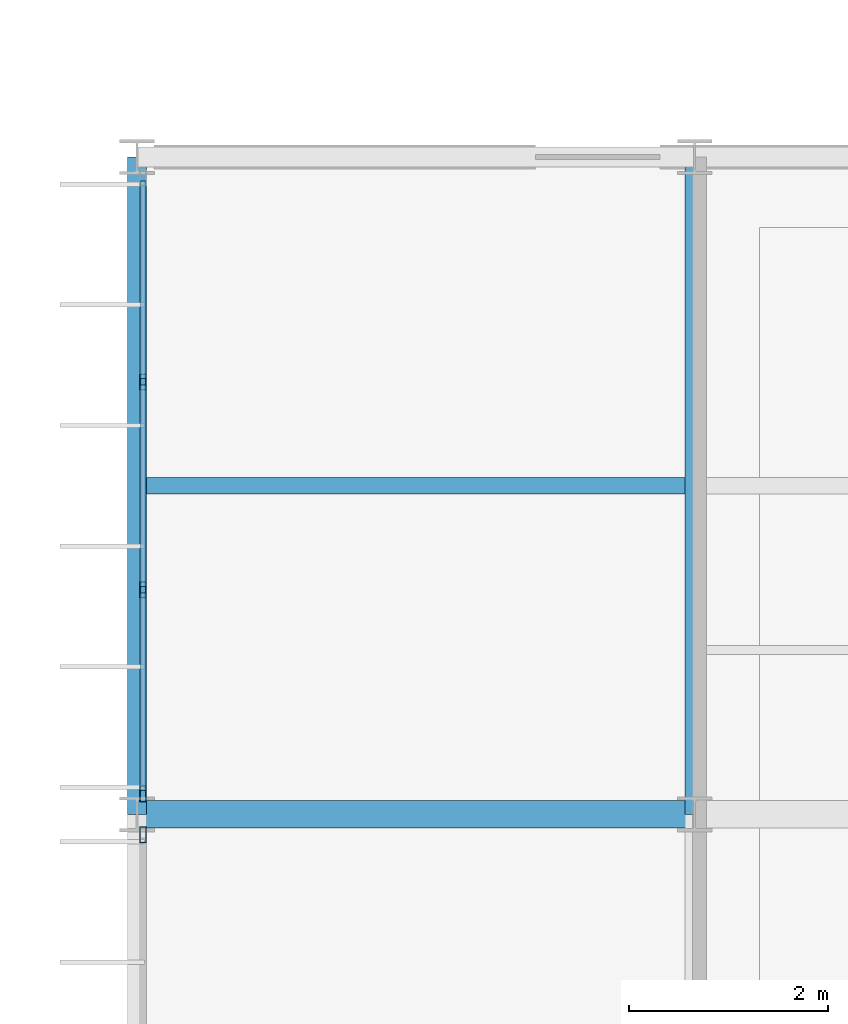
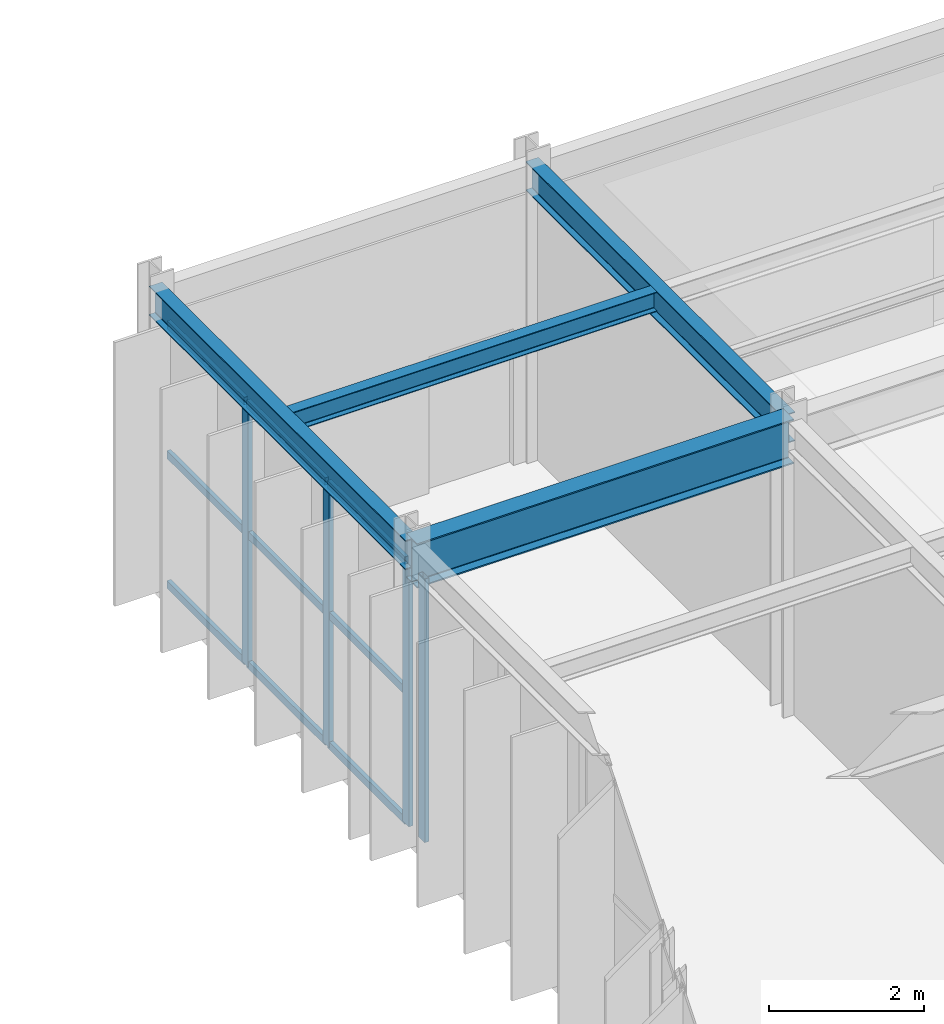
# One storey, part 70 of 144: 13 members, 4 beams, 2 elements without a shape of their own.
"""IFC4 building model written with IfcOpenShell, lengths in metres."""

from ifc_helpers import new_model, si_unit, direction, frame, origin, origin_2d, place, context, subcontext, project, spatial, hollow_rectangle, i_section, extrude, material, material_profile, profile_set, type_object, element, aggregate, save


model = new_model("IFC4")

# Units and contexts
model_context = context("Model", 3, precision=1e-05, world=origin(), true_north=direction((0.0, 1.0)))
body_context = subcontext(model_context, "Body", "Model", "MODEL_VIEW")
ifc_project = project(units=[si_unit("LENGTHUNIT", "METRE"), si_unit("AREAUNIT", "SQUARE_METRE"), si_unit("VOLUMEUNIT", "CUBIC_METRE"), si_unit("PLANEANGLEUNIT", "RADIAN"), si_unit("MASSUNIT", "GRAM", prefix="KILO")], contexts=[model_context])

# Site, building, storey
site_placement = place(None, origin())
site = spatial("IfcSite", under=ifc_project, at=site_placement, CompositionType="ELEMENT")
building_placement = place(site_placement, origin())
building = spatial("IfcBuilding", under=site, at=building_placement, Name="Karori Crest Natural Sciences Institute", CompositionType="ELEMENT")
storey_placement = place(building_placement, origin())
storey = spatial("IfcBuildingStorey", under=building, at=storey_placement, Name="L00", CompositionType="ELEMENT", Elevation=0.0)

# Beams
ifc_material_1 = material(Name="Structural steel AS/NZS 3679.1 Grade 350", Category="steel")
ifc_material_profile_1 = material_profile(ifc_material_1, i_section(OverallWidth=0.27490234375, OverallDepth=0.699951171875, WebThickness=0.010009765625, FlangeThickness=0.02001953125, FilletRadius=0.013916015625, at=origin_2d()), Name="700WB150")
ifc_profile_set_1 = profile_set([ifc_material_profile_1], Name="Structural steel AS/NZS 3679.1 Grade 350")
beam_type_1 = type_object("IfcBeamType", Name="BT-03", PredefinedType="BEAM", material=ifc_profile_set_1)
beam_1_placement = place(storey_placement, frame((1.800048828125, 66.800048828125, 4.27001953125), z_axis=(1.0, 0.0, 0.0), x_axis=(0.0, 1.0, 0.0)))
element("IfcBeam", 1, at=beam_1_placement, inside=storey, type_object=beam_type_1, Name="Beam B-0954", PredefinedType="BEAM", context=body_context, shape_type="SweptSolid", body=[
    extrude(i_section(OverallWidth=0.27490234375, OverallDepth=0.699951171875, WebThickness=0.010009765625, FlangeThickness=0.02001953125, FilletRadius=0.013916015625, at=origin_2d()), origin(), (0.0, 0.0, 1.0), 5.599853515625),
])
ifc_material_profile_2 = material_profile(ifc_material_1, i_section(OverallWidth=0.19091796875, OverallDepth=0.4599609375, WebThickness=0.010009765625, FlangeThickness=0.01611328125, FilletRadius=0.010986328125, at=origin_2d()), Name="460UB82.1")
ifc_profile_set_2 = profile_set([ifc_material_profile_2], Name="Structural steel AS/NZS 3679.1 Grade 350")
beam_type_2 = type_object("IfcBeamType", Name="BT-06", PredefinedType="BEAM", material=ifc_profile_set_2)
beam_2_placement = place(storey_placement, frame((7.39990234375, 66.800048828125, 4.389892578125), z_axis=(0.0, 1.0, 0.0), x_axis=(-1.0, 0.0, 0.0)))
element("IfcBeam", 2, at=beam_2_placement, inside=storey, type_object=beam_type_2, Name="Beam B-0973", PredefinedType="BEAM", context=body_context, shape_type="SweptSolid", body=[
    extrude(i_section(OverallWidth=0.19091796875, OverallDepth=0.4599609375, WebThickness=0.010009765625, FlangeThickness=0.01611328125, FilletRadius=0.010986328125, at=origin_2d()), origin(), (0.0, 0.0, 1.0), 6.599853515625),
])
ifc_material_profile_3 = material_profile(ifc_material_1, i_section(OverallWidth=0.19091796875, OverallDepth=0.4599609375, WebThickness=0.010009765625, FlangeThickness=0.01611328125, FilletRadius=0.010986328125, at=origin_2d()), Name="460UB82.1")
ifc_profile_set_3 = profile_set([ifc_material_profile_3], Name="Structural steel AS/NZS 3679.1 Grade 350")
beam_type_3 = type_object("IfcBeamType", Name="BT-06-EL", PredefinedType="BEAM", material=ifc_profile_set_3)
beam_3_placement = place(storey_placement, frame((1.800048828125, 66.800048828125, 4.389892578125), z_axis=(0.0, 1.0, 0.0), x_axis=(-1.0, 0.0, 0.0)))
element("IfcBeam", 3, at=beam_3_placement, inside=storey, type_object=beam_type_3, Name="Beam B-0966", PredefinedType="BEAM", context=body_context, shape_type="SweptSolid", body=[
    extrude(i_section(OverallWidth=0.19091796875, OverallDepth=0.4599609375, WebThickness=0.010009765625, FlangeThickness=0.01611328125, FilletRadius=0.010986328125, at=origin_2d()), origin(), (0.0, 0.0, 1.0), 6.599853515625),
])
ifc_material_profile_4 = material_profile(ifc_material_1, i_section(OverallWidth=0.166015625, OverallDepth=0.306884765625, WebThickness=0.006591796875, FlangeThickness=0.01171875, FilletRadius=0.010986328125, at=origin_2d()), Name="310UB46.2")
ifc_profile_set_4 = profile_set([ifc_material_profile_4], Name="Structural steel AS/NZS 3679.1 Grade 350")
beam_type_4 = type_object("IfcBeamType", Name="BT-09", PredefinedType="BEAM", material=ifc_profile_set_4)
beam_4_placement = place(storey_placement, frame((1.8955078125, 70.10009765625, 4.466552734375), z_axis=(1.0, 0.0, 0.0), x_axis=(0.0, 1.0, 0.0)))
element("IfcBeam", 4, at=beam_4_placement, inside=storey, type_object=beam_type_4, Name="Beam B-0992", PredefinedType="BEAM", context=body_context, shape_type="SweptSolid", body=[
    extrude(i_section(OverallWidth=0.166015625, OverallDepth=0.306884765625, WebThickness=0.006591796875, FlangeThickness=0.01171875, FilletRadius=0.010986328125, at=origin_2d()), origin(), (0.0, 0.0, 1.0), 5.408935546875),
])

# Curtain wall, member
ifc_material_2 = material(Name="Anodised architectural aluminium 6063-T6", Category="aluminium")
curtain_wall_type = type_object("IfcCurtainWallType", Name="CWT-17", PredefinedType="NOTDEFINED", material=ifc_material_2)
curtain_wall_1_placement = place(storey_placement, origin())
curtain_wall_1 = element("IfcCurtainWall", 5, at=curtain_wall_1_placement, inside=storey, type_object=curtain_wall_type, Name="Curtain wall CW-0257", PredefinedType="NOTDEFINED")
ifc_material_profile_5 = material_profile(ifc_material_2, hollow_rectangle(XDim=0.06494140625, YDim=0.159912109375, WallThickness=0.00390625, at=origin_2d()), Name="CWM160x65x4")
ifc_profile_set_5 = profile_set([ifc_material_profile_5], Name="Anodised architectural aluminium 6063-T6")
member_type_1 = type_object("IfcMemberType", Name="CWM-01", PredefinedType="MULLION", material=ifc_profile_set_5)
member_1_placement = place(storey_placement, frame((1.860107421875, 66.594482421875, 0.0), z_axis=(0.0, 0.0, 1.0), x_axis=(-1.0, 0.0, 0.0)))
member_1 = element("IfcMember", 6, at=member_1_placement, type_object=member_type_1, Name="CW-0257 mullion 4", PredefinedType="MULLION", context=body_context, shape_type="SweptSolid", body=[
    extrude(hollow_rectangle(XDim=0.06494140625, YDim=0.159912109375, WallThickness=0.00390625, at=origin_2d()), origin(), (0.0, 0.0, 1.0), 4.14501953125),
])
aggregate(curtain_wall_1, [member_1])

# Curtain wall, members
curtain_wall_2_placement = place(storey_placement, origin())
curtain_wall_2 = element("IfcCurtainWall", 7, at=curtain_wall_2_placement, inside=storey, type_object=curtain_wall_type, Name="Curtain wall CW-0258", PredefinedType="NOTDEFINED")
member_2_placement = place(storey_placement, frame((1.860107421875, 67.005615234375, 0.0), z_axis=(0.0, 0.0, 1.0), x_axis=(-1.0, 0.0, 0.0)))
member_2 = element("IfcMember", 8, at=member_2_placement, type_object=member_type_1, Name="CW-0258 mullion 1", PredefinedType="MULLION", context=body_context, shape_type="SweptSolid", body=[
    extrude(hollow_rectangle(XDim=0.06494140625, YDim=0.159912109375, WallThickness=0.00390625, at=origin_2d()), origin(), (0.0, 0.0, 1.0), 4.14501953125),
])
member_3_placement = place(storey_placement, frame((1.860107421875, 69.0576171875, 0.0), z_axis=(0.0, 0.0, 1.0), x_axis=(-1.0, 0.0, 0.0)))
member_3 = element("IfcMember", 9, at=member_3_placement, type_object=member_type_1, Name="CW-0258 mullion 2", PredefinedType="MULLION", context=body_context, shape_type="SweptSolid", body=[
    extrude(hollow_rectangle(XDim=0.06494140625, YDim=0.159912109375, WallThickness=0.00390625, at=origin_2d()), origin(), (0.0, 0.0, 1.0), 4.14501953125),
])
member_4_placement = place(storey_placement, frame((1.860107421875, 71.142333984375, 0.0), z_axis=(0.0, 0.0, 1.0), x_axis=(-1.0, 0.0, 0.0)))
member_4 = element("IfcMember", 10, at=member_4_placement, type_object=member_type_1, Name="CW-0258 mullion 3", PredefinedType="MULLION", context=body_context, shape_type="SweptSolid", body=[
    extrude(hollow_rectangle(XDim=0.06494140625, YDim=0.159912109375, WallThickness=0.00390625, at=origin_2d()), origin(), (0.0, 0.0, 1.0), 4.14501953125),
])
ifc_material_profile_6 = material_profile(ifc_material_2, hollow_rectangle(XDim=0.06005859375, YDim=0.1201171875, WallThickness=0.00390625, at=origin_2d()), Name="CWT120x60x4")
ifc_profile_set_6 = profile_set([ifc_material_profile_6], Name="Anodised architectural aluminium 6063-T6")
member_type_2 = type_object("IfcMemberType", Name="CWT-TR1", PredefinedType="USERDEFINED", material=ifc_profile_set_6)
member_5_placement = place(storey_placement, frame((1.860107421875, 67.0380859375, 0.030029296875), z_axis=(0.0, 1.0, 0.0), x_axis=(-1.0, 0.0, 0.0)))
member_5 = element("IfcMember", 11, at=member_5_placement, type_object=member_type_2, Name="CW-0258 transom 1.1", ObjectType="TRANSOM", PredefinedType="USERDEFINED", context=body_context, shape_type="SweptSolid", body=[
    extrude(hollow_rectangle(XDim=0.06005859375, YDim=0.1201171875, WallThickness=0.00390625, at=origin_2d()), origin(), (0.0, 0.0, 1.0), 1.987060546875),
])
member_6_placement = place(storey_placement, frame((1.860107421875, 67.0380859375, 2.072509765625), z_axis=(0.0, 1.0, 0.0), x_axis=(-1.0, 0.0, 0.0)))
member_6 = element("IfcMember", 12, at=member_6_placement, type_object=member_type_2, Name="CW-0258 transom 1.2", ObjectType="TRANSOM", PredefinedType="USERDEFINED", context=body_context, shape_type="SweptSolid", body=[
    extrude(hollow_rectangle(XDim=0.06005859375, YDim=0.1201171875, WallThickness=0.00390625, at=origin_2d()), origin(), (0.0, 0.0, 1.0), 1.987060546875),
])
member_7_placement = place(storey_placement, frame((1.860107421875, 67.0380859375, 4.114990234375), z_axis=(0.0, 1.0, 0.0), x_axis=(-1.0, 0.0, 0.0)))
member_7 = element("IfcMember", 13, at=member_7_placement, type_object=member_type_2, Name="CW-0258 transom 1.3", ObjectType="TRANSOM", PredefinedType="USERDEFINED", context=body_context, shape_type="SweptSolid", body=[
    extrude(hollow_rectangle(XDim=0.06005859375, YDim=0.1201171875, WallThickness=0.00390625, at=origin_2d()), origin(), (0.0, 0.0, 1.0), 1.987060546875),
])
member_8_placement = place(storey_placement, frame((1.860107421875, 69.090087890625, 0.030029296875), z_axis=(0.0, 1.0, 0.0), x_axis=(-1.0, 0.0, 0.0)))
member_8 = element("IfcMember", 14, at=member_8_placement, type_object=member_type_2, Name="CW-0258 transom 2.1", ObjectType="TRANSOM", PredefinedType="USERDEFINED", context=body_context, shape_type="SweptSolid", body=[
    extrude(hollow_rectangle(XDim=0.06005859375, YDim=0.1201171875, WallThickness=0.00390625, at=origin_2d()), origin(), (0.0, 0.0, 1.0), 2.019775390625),
])
member_9_placement = place(storey_placement, frame((1.860107421875, 69.090087890625, 2.072509765625), z_axis=(0.0, 1.0, 0.0), x_axis=(-1.0, 0.0, 0.0)))
member_9 = element("IfcMember", 15, at=member_9_placement, type_object=member_type_2, Name="CW-0258 transom 2.2", ObjectType="TRANSOM", PredefinedType="USERDEFINED", context=body_context, shape_type="SweptSolid", body=[
    extrude(hollow_rectangle(XDim=0.06005859375, YDim=0.1201171875, WallThickness=0.00390625, at=origin_2d()), origin(), (0.0, 0.0, 1.0), 2.019775390625),
])
member_10_placement = place(storey_placement, frame((1.860107421875, 69.090087890625, 4.114990234375), z_axis=(0.0, 1.0, 0.0), x_axis=(-1.0, 0.0, 0.0)))
member_10 = element("IfcMember", 16, at=member_10_placement, type_object=member_type_2, Name="CW-0258 transom 2.3", ObjectType="TRANSOM", PredefinedType="USERDEFINED", context=body_context, shape_type="SweptSolid", body=[
    extrude(hollow_rectangle(XDim=0.06005859375, YDim=0.1201171875, WallThickness=0.00390625, at=origin_2d()), origin(), (0.0, 0.0, 1.0), 2.019775390625),
])
member_11_placement = place(storey_placement, frame((1.860107421875, 71.1748046875, 0.030029296875), z_axis=(0.0, 1.0, 0.0), x_axis=(-1.0, 0.0, 0.0)))
member_11 = element("IfcMember", 17, at=member_11_placement, type_object=member_type_2, Name="CW-0258 transom 3.1", ObjectType="TRANSOM", PredefinedType="USERDEFINED", context=body_context, shape_type="SweptSolid", body=[
    extrude(hollow_rectangle(XDim=0.06005859375, YDim=0.1201171875, WallThickness=0.00390625, at=origin_2d()), origin(), (0.0, 0.0, 1.0), 1.9873046875),
])
member_12_placement = place(storey_placement, frame((1.860107421875, 71.1748046875, 2.072509765625), z_axis=(0.0, 1.0, 0.0), x_axis=(-1.0, 0.0, 0.0)))
member_12 = element("IfcMember", 18, at=member_12_placement, type_object=member_type_2, Name="CW-0258 transom 3.2", ObjectType="TRANSOM", PredefinedType="USERDEFINED", context=body_context, shape_type="SweptSolid", body=[
    extrude(hollow_rectangle(XDim=0.06005859375, YDim=0.1201171875, WallThickness=0.00390625, at=origin_2d()), origin(), (0.0, 0.0, 1.0), 1.9873046875),
])
member_13_placement = place(storey_placement, frame((1.860107421875, 71.1748046875, 4.114990234375), z_axis=(0.0, 1.0, 0.0), x_axis=(-1.0, 0.0, 0.0)))
member_13 = element("IfcMember", 19, at=member_13_placement, type_object=member_type_2, Name="CW-0258 transom 3.3", ObjectType="TRANSOM", PredefinedType="USERDEFINED", context=body_context, shape_type="SweptSolid", body=[
    extrude(hollow_rectangle(XDim=0.06005859375, YDim=0.1201171875, WallThickness=0.00390625, at=origin_2d()), origin(), (0.0, 0.0, 1.0), 1.9873046875),
])
aggregate(curtain_wall_2, [member_2, member_3, member_4, member_5, member_6, member_7, member_8, member_9, member_10, member_11, member_12, member_13])

save(model, "model.ifc")
